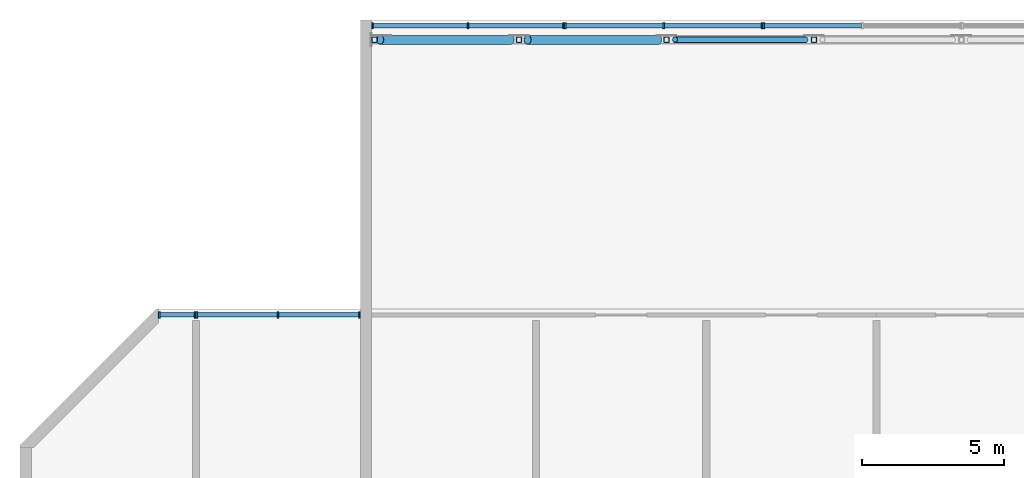
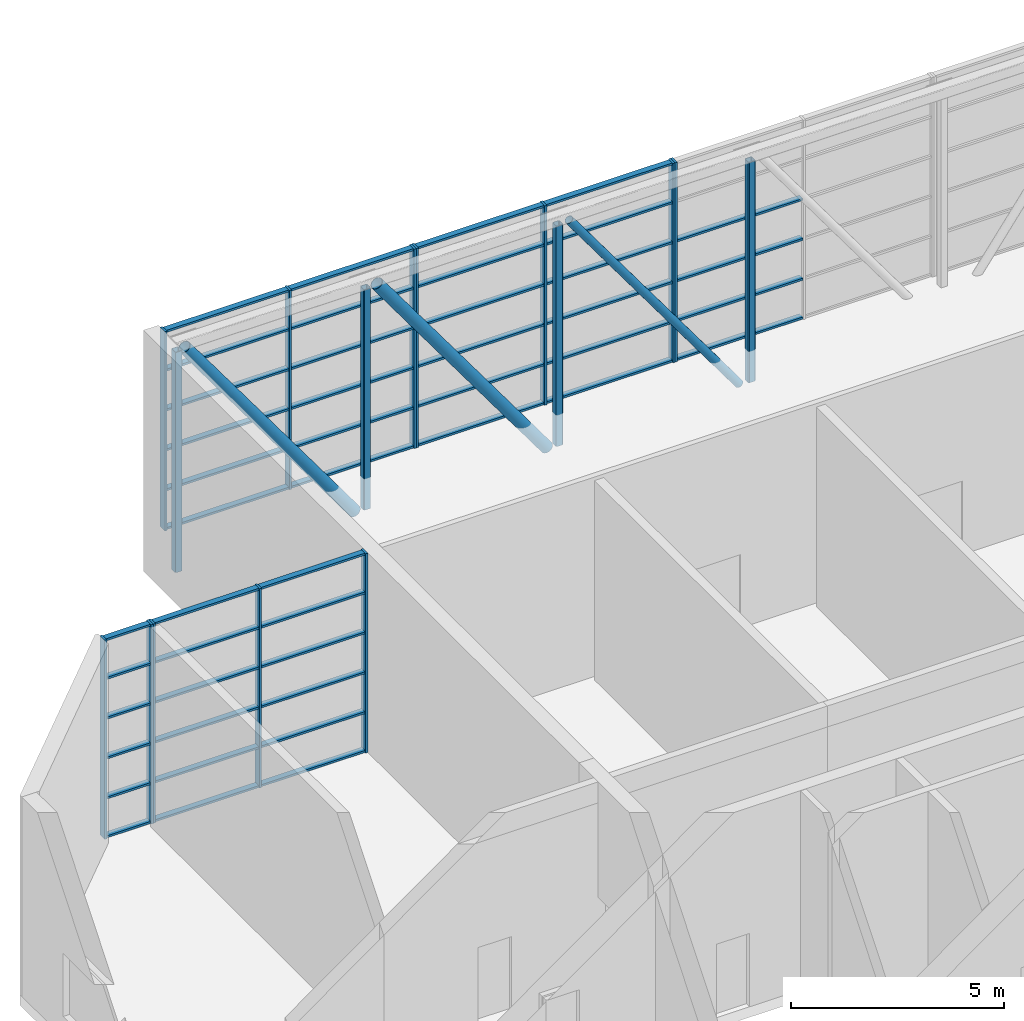
# One storey, part 2 of 17: 65 members, 5 elements without a shape of their own.
"""IFC4 building model written with IfcOpenShell, lengths in metres."""

from ifc_helpers import new_model, si_unit, direction, frame, origin, origin_2d, place, context, subcontext, project, spatial, rectangle, hollow_rectangle, hollow_circle, extrude, material, layer, layer_set, material_profile, profile_set, type_object, element, aggregate, save


model = new_model("IFC4")

# Units and contexts
model_context = context("Model", 3, precision=1e-05, world=origin(), true_north=direction((0.0, 1.0)))
body_context = subcontext(model_context, "Body", "Model", "MODEL_VIEW")
ifc_project = project(units=[si_unit("LENGTHUNIT", "METRE"), si_unit("AREAUNIT", "SQUARE_METRE"), si_unit("VOLUMEUNIT", "CUBIC_METRE"), si_unit("PLANEANGLEUNIT", "RADIAN"), si_unit("MASSUNIT", "GRAM", prefix="KILO")], contexts=[model_context])

# Site, building, storey
site_placement = place(None, origin())
site = spatial("IfcSite", under=ifc_project, at=site_placement, CompositionType="ELEMENT")
building_placement = place(site_placement, origin())
building = spatial("IfcBuilding", under=site, at=building_placement, Name="Poui Terraces", CompositionType="ELEMENT")
storey_placement = place(building_placement, frame((0.0, 0.0, 261.0)))
storey = spatial("IfcBuildingStorey", under=building, at=storey_placement, Name="L73", CompositionType="ELEMENT", Elevation=261.0)

# Curtain wall, members
ifc_material_1 = material(Name="Clear glass", Category="glass")
ifc_layer = layer(ifc_material_1, 0.219970703125)
ifc_layer_set = layer_set([ifc_layer], Name="Clear glass")
curtain_wall_type = type_object("IfcCurtainWallType", Name="CURTAIN WALL CW-E SKY LOUNGE GLAZING", PredefinedType="NOTDEFINED", material=ifc_layer_set)
curtain_wall_1_placement = place(storey_placement, origin())
curtain_wall_1 = element("IfcCurtainWall", 1, at=curtain_wall_1_placement, inside=storey, type_object=curtain_wall_type, Name="CW-E SKY LOUNGE GLAZING", PredefinedType="NOTDEFINED")
ifc_material_2 = material(Name="Aluminium frame", Category="aluminium")
ifc_material_profile_1 = material_profile(ifc_material_2, rectangle(XDim=0.219970703125, YDim=0.06005859375, at=origin_2d()), Name="CW-E MULLION 60X220")
ifc_profile_set_1 = profile_set([ifc_material_profile_1], Name="Aluminium frame")
member_type_1 = type_object("IfcMemberType", Name="CW-E MULLION 60X220", PredefinedType="MULLION", material=ifc_profile_set_1)
member_1_placement = place(storey_placement, frame((23.969970703125, 41.199951171875, 0.0), z_axis=(0.0, 0.0, 1.0), x_axis=(0.0, -1.0, 0.0)))
member_1 = element("IfcMember", 2, at=member_1_placement, type_object=member_type_1, Name="CW-E mullion 1", PredefinedType="MULLION", context=body_context, shape_type="SweptSolid", body=[
    extrude(rectangle(XDim=0.219970703125, YDim=0.06005859375, at=origin_2d()), origin(), (0.0, 0.0, 1.0), 5.699951171875),
])
member_2_placement = place(storey_placement, frame((22.712890625, 41.199951171875, 0.0), z_axis=(0.0, 0.0, 1.0), x_axis=(0.0, -1.0, 0.0)))
member_2 = element("IfcMember", 3, at=member_2_placement, type_object=member_type_1, Name="CW-E mullion 2", PredefinedType="MULLION", context=body_context, shape_type="SweptSolid", body=[
    extrude(rectangle(XDim=0.219970703125, YDim=0.06005859375, at=origin_2d()), origin(), (0.0, 0.0, 1.0), 5.699951171875),
])

curtain_wall_2_placement = place(storey_placement, origin())
curtain_wall_2 = element("IfcCurtainWall", 4, at=curtain_wall_2_placement, inside=storey, type_object=curtain_wall_type, Name="CW-E SKY LOUNGE GLAZING", PredefinedType="NOTDEFINED")
member_3_placement = place(storey_placement, frame((29.77001953125, 41.199951171875, 0.0), z_axis=(0.0, 0.0, 1.0), x_axis=(0.0, -1.0, 0.0)))
member_3 = element("IfcMember", 5, at=member_3_placement, type_object=member_type_1, Name="CW-E mullion 1", PredefinedType="MULLION", context=body_context, shape_type="SweptSolid", body=[
    extrude(rectangle(XDim=0.219970703125, YDim=0.06005859375, at=origin_2d()), origin(), (0.0, 0.0, 1.0), 5.699951171875),
])
member_4_placement = place(storey_placement, frame((26.89990234375, 41.199951171875, 0.0), z_axis=(0.0, 0.0, 1.0), x_axis=(0.0, -1.0, 0.0)))
member_4 = element("IfcMember", 6, at=member_4_placement, type_object=member_type_1, Name="CW-E mullion 2", PredefinedType="MULLION", context=body_context, shape_type="SweptSolid", body=[
    extrude(rectangle(XDim=0.219970703125, YDim=0.06005859375, at=origin_2d()), origin(), (0.0, 0.0, 1.0), 5.699951171875),
])
member_5_placement = place(storey_placement, frame((24.030029296875, 41.199951171875, 0.0), z_axis=(0.0, 0.0, 1.0), x_axis=(0.0, -1.0, 0.0)))
member_5 = element("IfcMember", 7, at=member_5_placement, type_object=member_type_1, Name="CW-E mullion 3", PredefinedType="MULLION", context=body_context, shape_type="SweptSolid", body=[
    extrude(rectangle(XDim=0.219970703125, YDim=0.06005859375, at=origin_2d()), origin(), (0.0, 0.0, 1.0), 5.699951171875),
])

curtain_wall_3_placement = place(storey_placement, origin())
curtain_wall_3 = element("IfcCurtainWall", 8, at=curtain_wall_3_placement, inside=storey, type_object=curtain_wall_type, Name="CW-E SKY LOUNGE GLAZING", PredefinedType="NOTDEFINED")
member_6_placement = place(storey_placement, frame((30.22998046875, 51.39990234375, 0.0), z_axis=(0.0, 0.0, 1.0), x_axis=(0.0, 1.0, 0.0)))
member_6 = element("IfcMember", 9, at=member_6_placement, type_object=member_type_1, Name="CW-E mullion 1", PredefinedType="MULLION", context=body_context, shape_type="SweptSolid", body=[
    extrude(rectangle(XDim=0.219970703125, YDim=0.06005859375, at=origin_2d()), origin(), (0.0, 0.0, 1.0), 5.699951171875),
])
member_7_placement = place(storey_placement, frame((33.60009765625, 51.39990234375, 0.0), z_axis=(0.0, 0.0, 1.0), x_axis=(0.0, 1.0, 0.0)))
member_7 = element("IfcMember", 10, at=member_7_placement, type_object=member_type_1, Name="CW-E mullion 2", PredefinedType="MULLION", context=body_context, shape_type="SweptSolid", body=[
    extrude(rectangle(XDim=0.219970703125, YDim=0.06005859375, at=origin_2d()), origin(), (0.0, 0.0, 1.0), 5.699951171875),
])
member_8_placement = place(storey_placement, frame((36.969970703125, 51.39990234375, 0.0), z_axis=(0.0, 0.0, 1.0), x_axis=(0.0, 1.0, 0.0)))
member_8 = element("IfcMember", 11, at=member_8_placement, type_object=member_type_1, Name="CW-E mullion 3", PredefinedType="MULLION", context=body_context, shape_type="SweptSolid", body=[
    extrude(rectangle(XDim=0.219970703125, YDim=0.06005859375, at=origin_2d()), origin(), (0.0, 0.0, 1.0), 5.699951171875),
])

curtain_wall_4_placement = place(storey_placement, origin())
curtain_wall_4 = element("IfcCurtainWall", 12, at=curtain_wall_4_placement, inside=storey, type_object=curtain_wall_type, Name="CW-E SKY LOUNGE GLAZING", PredefinedType="NOTDEFINED")
member_9_placement = place(storey_placement, frame((37.030029296875, 51.39990234375, 0.0), z_axis=(0.0, 0.0, 1.0), x_axis=(0.0, 1.0, 0.0)))
member_9 = element("IfcMember", 13, at=member_9_placement, type_object=member_type_1, Name="CW-E mullion 1", PredefinedType="MULLION", context=body_context, shape_type="SweptSolid", body=[
    extrude(rectangle(XDim=0.219970703125, YDim=0.06005859375, at=origin_2d()), origin(), (0.0, 0.0, 1.0), 5.699951171875),
])
member_10_placement = place(storey_placement, frame((40.5, 51.39990234375, 0.0), z_axis=(0.0, 0.0, 1.0), x_axis=(0.0, 1.0, 0.0)))
member_10 = element("IfcMember", 14, at=member_10_placement, type_object=member_type_1, Name="CW-E mullion 2", PredefinedType="MULLION", context=body_context, shape_type="SweptSolid", body=[
    extrude(rectangle(XDim=0.219970703125, YDim=0.06005859375, at=origin_2d()), origin(), (0.0, 0.0, 1.0), 5.699951171875),
])
member_11_placement = place(storey_placement, frame((43.969970703125, 51.39990234375, 0.0), z_axis=(0.0, 0.0, 1.0), x_axis=(0.0, 1.0, 0.0)))
member_11 = element("IfcMember", 15, at=member_11_placement, type_object=member_type_1, Name="CW-E mullion 3", PredefinedType="MULLION", context=body_context, shape_type="SweptSolid", body=[
    extrude(rectangle(XDim=0.219970703125, YDim=0.06005859375, at=origin_2d()), origin(), (0.0, 0.0, 1.0), 5.699951171875),
])

# Curtain wall, member
curtain_wall_5_placement = place(storey_placement, origin())
curtain_wall_5 = element("IfcCurtainWall", 16, at=curtain_wall_5_placement, inside=storey, type_object=curtain_wall_type, Name="CW-E SKY LOUNGE GLAZING", PredefinedType="NOTDEFINED")
member_12_placement = place(storey_placement, frame((44.030029296875, 51.39990234375, 0.0), z_axis=(0.0, 0.0, 1.0), x_axis=(0.0, 1.0, 0.0)))
member_12 = element("IfcMember", 17, at=member_12_placement, type_object=member_type_1, Name="CW-E mullion 1", PredefinedType="MULLION", context=body_context, shape_type="SweptSolid", body=[
    extrude(rectangle(XDim=0.219970703125, YDim=0.06005859375, at=origin_2d()), origin(), (0.0, 0.0, 1.0), 5.699951171875),
])

# Member
ifc_material_profile_2 = material_profile(ifc_material_2, rectangle(XDim=0.159912109375, YDim=0.06005859375, at=origin_2d()), Name="CW-E TRANSOM 60X160")
ifc_profile_set_2 = profile_set([ifc_material_profile_2], Name="Aluminium frame")
member_type_2 = type_object("IfcMemberType", Name="CW-E TRANSOM 60X160", PredefinedType="USERDEFINED", material=ifc_profile_set_2)
member_13_placement = place(storey_placement, frame((23.93994140625, 41.199951171875, 0.030029296875), z_axis=(-1.0, 0.0, 0.0), x_axis=(0.0, -1.0, 0.0)))
member_13 = element("IfcMember", 18, at=member_13_placement, type_object=member_type_2, Name="CW-E transom 1.1", ObjectType="TRANSOM", PredefinedType="USERDEFINED", context=body_context, shape_type="SweptSolid", body=[
    extrude(rectangle(XDim=0.159912109375, YDim=0.06005859375, at=origin_2d()), origin(), (0.0, 0.0, 1.0), 1.197021484375),
])

member_14_placement = place(storey_placement, frame((23.93994140625, 41.199951171875, 1.139892578125), z_axis=(-1.0, 0.0, 0.0), x_axis=(0.0, -1.0, 0.0)))
member_14 = element("IfcMember", 19, at=member_14_placement, type_object=member_type_2, Name="CW-E transom 1.2", ObjectType="TRANSOM", PredefinedType="USERDEFINED", context=body_context, shape_type="SweptSolid", body=[
    extrude(rectangle(XDim=0.159912109375, YDim=0.06005859375, at=origin_2d()), origin(), (0.0, 0.0, 1.0), 1.197021484375),
])

member_15_placement = place(storey_placement, frame((23.93994140625, 41.199951171875, 2.280029296875), z_axis=(-1.0, 0.0, 0.0), x_axis=(0.0, -1.0, 0.0)))
member_15 = element("IfcMember", 20, at=member_15_placement, type_object=member_type_2, Name="CW-E transom 1.3", ObjectType="TRANSOM", PredefinedType="USERDEFINED", context=body_context, shape_type="SweptSolid", body=[
    extrude(rectangle(XDim=0.159912109375, YDim=0.06005859375, at=origin_2d()), origin(), (0.0, 0.0, 1.0), 1.197021484375),
])

member_16_placement = place(storey_placement, frame((23.93994140625, 41.199951171875, 3.419921875), z_axis=(-1.0, 0.0, 0.0), x_axis=(0.0, -1.0, 0.0)))
member_16 = element("IfcMember", 21, at=member_16_placement, type_object=member_type_2, Name="CW-E transom 1.4", ObjectType="TRANSOM", PredefinedType="USERDEFINED", context=body_context, shape_type="SweptSolid", body=[
    extrude(rectangle(XDim=0.159912109375, YDim=0.06005859375, at=origin_2d()), origin(), (0.0, 0.0, 1.0), 1.197021484375),
])

member_17_placement = place(storey_placement, frame((23.93994140625, 41.199951171875, 4.56005859375), z_axis=(-1.0, 0.0, 0.0), x_axis=(0.0, -1.0, 0.0)))
member_17 = element("IfcMember", 22, at=member_17_placement, type_object=member_type_2, Name="CW-E transom 1.5", ObjectType="TRANSOM", PredefinedType="USERDEFINED", context=body_context, shape_type="SweptSolid", body=[
    extrude(rectangle(XDim=0.159912109375, YDim=0.06005859375, at=origin_2d()), origin(), (0.0, 0.0, 1.0), 1.197021484375),
])

member_18_placement = place(storey_placement, frame((23.93994140625, 41.199951171875, 5.669921875), z_axis=(-1.0, 0.0, 0.0), x_axis=(0.0, -1.0, 0.0)))
member_18 = element("IfcMember", 23, at=member_18_placement, type_object=member_type_2, Name="CW-E transom 1.6", ObjectType="TRANSOM", PredefinedType="USERDEFINED", context=body_context, shape_type="SweptSolid", body=[
    extrude(rectangle(XDim=0.159912109375, YDim=0.06005859375, at=origin_2d()), origin(), (0.0, 0.0, 1.0), 1.197021484375),
])

aggregate(curtain_wall_1, [member_1, member_2, member_13, member_14, member_15, member_16, member_17, member_18])

member_19_placement = place(storey_placement, frame((29.739990234375, 41.199951171875, 0.030029296875), z_axis=(-1.0, 0.0, 0.0), x_axis=(0.0, -1.0, 0.0)))
member_19 = element("IfcMember", 24, at=member_19_placement, type_object=member_type_2, Name="CW-E transom 1.1", ObjectType="TRANSOM", PredefinedType="USERDEFINED", context=body_context, shape_type="SweptSolid", body=[
    extrude(rectangle(XDim=0.159912109375, YDim=0.06005859375, at=origin_2d()), origin(), (0.0, 0.0, 1.0), 2.81005859375),
])

member_20_placement = place(storey_placement, frame((29.739990234375, 41.199951171875, 1.139892578125), z_axis=(-1.0, 0.0, 0.0), x_axis=(0.0, -1.0, 0.0)))
member_20 = element("IfcMember", 25, at=member_20_placement, type_object=member_type_2, Name="CW-E transom 1.2", ObjectType="TRANSOM", PredefinedType="USERDEFINED", context=body_context, shape_type="SweptSolid", body=[
    extrude(rectangle(XDim=0.159912109375, YDim=0.06005859375, at=origin_2d()), origin(), (0.0, 0.0, 1.0), 2.81005859375),
])

member_21_placement = place(storey_placement, frame((29.739990234375, 41.199951171875, 2.280029296875), z_axis=(-1.0, 0.0, 0.0), x_axis=(0.0, -1.0, 0.0)))
member_21 = element("IfcMember", 26, at=member_21_placement, type_object=member_type_2, Name="CW-E transom 1.3", ObjectType="TRANSOM", PredefinedType="USERDEFINED", context=body_context, shape_type="SweptSolid", body=[
    extrude(rectangle(XDim=0.159912109375, YDim=0.06005859375, at=origin_2d()), origin(), (0.0, 0.0, 1.0), 2.81005859375),
])

member_22_placement = place(storey_placement, frame((29.739990234375, 41.199951171875, 3.419921875), z_axis=(-1.0, 0.0, 0.0), x_axis=(0.0, -1.0, 0.0)))
member_22 = element("IfcMember", 27, at=member_22_placement, type_object=member_type_2, Name="CW-E transom 1.4", ObjectType="TRANSOM", PredefinedType="USERDEFINED", context=body_context, shape_type="SweptSolid", body=[
    extrude(rectangle(XDim=0.159912109375, YDim=0.06005859375, at=origin_2d()), origin(), (0.0, 0.0, 1.0), 2.81005859375),
])

member_23_placement = place(storey_placement, frame((29.739990234375, 41.199951171875, 4.56005859375), z_axis=(-1.0, 0.0, 0.0), x_axis=(0.0, -1.0, 0.0)))
member_23 = element("IfcMember", 28, at=member_23_placement, type_object=member_type_2, Name="CW-E transom 1.5", ObjectType="TRANSOM", PredefinedType="USERDEFINED", context=body_context, shape_type="SweptSolid", body=[
    extrude(rectangle(XDim=0.159912109375, YDim=0.06005859375, at=origin_2d()), origin(), (0.0, 0.0, 1.0), 2.81005859375),
])

member_24_placement = place(storey_placement, frame((29.739990234375, 41.199951171875, 5.669921875), z_axis=(-1.0, 0.0, 0.0), x_axis=(0.0, -1.0, 0.0)))
member_24 = element("IfcMember", 29, at=member_24_placement, type_object=member_type_2, Name="CW-E transom 1.6", ObjectType="TRANSOM", PredefinedType="USERDEFINED", context=body_context, shape_type="SweptSolid", body=[
    extrude(rectangle(XDim=0.159912109375, YDim=0.06005859375, at=origin_2d()), origin(), (0.0, 0.0, 1.0), 2.81005859375),
])

member_25_placement = place(storey_placement, frame((26.8701171875, 41.199951171875, 0.030029296875), z_axis=(-1.0, 0.0, 0.0), x_axis=(0.0, -1.0, 0.0)))
member_25 = element("IfcMember", 30, at=member_25_placement, type_object=member_type_2, Name="CW-E transom 2.1", ObjectType="TRANSOM", PredefinedType="USERDEFINED", context=body_context, shape_type="SweptSolid", body=[
    extrude(rectangle(XDim=0.159912109375, YDim=0.06005859375, at=origin_2d()), origin(), (0.0, 0.0, 1.0), 2.81005859375),
])

member_26_placement = place(storey_placement, frame((26.8701171875, 41.199951171875, 1.139892578125), z_axis=(-1.0, 0.0, 0.0), x_axis=(0.0, -1.0, 0.0)))
member_26 = element("IfcMember", 31, at=member_26_placement, type_object=member_type_2, Name="CW-E transom 2.2", ObjectType="TRANSOM", PredefinedType="USERDEFINED", context=body_context, shape_type="SweptSolid", body=[
    extrude(rectangle(XDim=0.159912109375, YDim=0.06005859375, at=origin_2d()), origin(), (0.0, 0.0, 1.0), 2.81005859375),
])

member_27_placement = place(storey_placement, frame((26.8701171875, 41.199951171875, 2.280029296875), z_axis=(-1.0, 0.0, 0.0), x_axis=(0.0, -1.0, 0.0)))
member_27 = element("IfcMember", 32, at=member_27_placement, type_object=member_type_2, Name="CW-E transom 2.3", ObjectType="TRANSOM", PredefinedType="USERDEFINED", context=body_context, shape_type="SweptSolid", body=[
    extrude(rectangle(XDim=0.159912109375, YDim=0.06005859375, at=origin_2d()), origin(), (0.0, 0.0, 1.0), 2.81005859375),
])

member_28_placement = place(storey_placement, frame((26.8701171875, 41.199951171875, 3.419921875), z_axis=(-1.0, 0.0, 0.0), x_axis=(0.0, -1.0, 0.0)))
member_28 = element("IfcMember", 33, at=member_28_placement, type_object=member_type_2, Name="CW-E transom 2.4", ObjectType="TRANSOM", PredefinedType="USERDEFINED", context=body_context, shape_type="SweptSolid", body=[
    extrude(rectangle(XDim=0.159912109375, YDim=0.06005859375, at=origin_2d()), origin(), (0.0, 0.0, 1.0), 2.81005859375),
])

member_29_placement = place(storey_placement, frame((26.8701171875, 41.199951171875, 4.56005859375), z_axis=(-1.0, 0.0, 0.0), x_axis=(0.0, -1.0, 0.0)))
member_29 = element("IfcMember", 34, at=member_29_placement, type_object=member_type_2, Name="CW-E transom 2.5", ObjectType="TRANSOM", PredefinedType="USERDEFINED", context=body_context, shape_type="SweptSolid", body=[
    extrude(rectangle(XDim=0.159912109375, YDim=0.06005859375, at=origin_2d()), origin(), (0.0, 0.0, 1.0), 2.81005859375),
])

member_30_placement = place(storey_placement, frame((26.8701171875, 41.199951171875, 5.669921875), z_axis=(-1.0, 0.0, 0.0), x_axis=(0.0, -1.0, 0.0)))
member_30 = element("IfcMember", 35, at=member_30_placement, type_object=member_type_2, Name="CW-E transom 2.6", ObjectType="TRANSOM", PredefinedType="USERDEFINED", context=body_context, shape_type="SweptSolid", body=[
    extrude(rectangle(XDim=0.159912109375, YDim=0.06005859375, at=origin_2d()), origin(), (0.0, 0.0, 1.0), 2.81005859375),
])

aggregate(curtain_wall_2, [member_3, member_4, member_5, member_19, member_20, member_21, member_22, member_23, member_24, member_25, member_26, member_27, member_28, member_29, member_30])

member_31_placement = place(storey_placement, frame((30.260009765625, 51.39990234375, 0.030029296875), z_axis=(1.0, 0.0, 0.0), x_axis=(0.0, 1.0, 0.0)))
member_31 = element("IfcMember", 36, at=member_31_placement, type_object=member_type_2, Name="CW-E transom 1.1", ObjectType="TRANSOM", PredefinedType="USERDEFINED", context=body_context, shape_type="SweptSolid", body=[
    extrude(rectangle(XDim=0.159912109375, YDim=0.06005859375, at=origin_2d()), origin(), (0.0, 0.0, 1.0), 3.31005859375),
])

member_32_placement = place(storey_placement, frame((30.260009765625, 51.39990234375, 1.139892578125), z_axis=(1.0, 0.0, 0.0), x_axis=(0.0, 1.0, 0.0)))
member_32 = element("IfcMember", 37, at=member_32_placement, type_object=member_type_2, Name="CW-E transom 1.2", ObjectType="TRANSOM", PredefinedType="USERDEFINED", context=body_context, shape_type="SweptSolid", body=[
    extrude(rectangle(XDim=0.159912109375, YDim=0.06005859375, at=origin_2d()), origin(), (0.0, 0.0, 1.0), 3.31005859375),
])

member_33_placement = place(storey_placement, frame((30.260009765625, 51.39990234375, 2.280029296875), z_axis=(1.0, 0.0, 0.0), x_axis=(0.0, 1.0, 0.0)))
member_33 = element("IfcMember", 38, at=member_33_placement, type_object=member_type_2, Name="CW-E transom 1.3", ObjectType="TRANSOM", PredefinedType="USERDEFINED", context=body_context, shape_type="SweptSolid", body=[
    extrude(rectangle(XDim=0.159912109375, YDim=0.06005859375, at=origin_2d()), origin(), (0.0, 0.0, 1.0), 3.31005859375),
])

member_34_placement = place(storey_placement, frame((30.260009765625, 51.39990234375, 3.419921875), z_axis=(1.0, 0.0, 0.0), x_axis=(0.0, 1.0, 0.0)))
member_34 = element("IfcMember", 39, at=member_34_placement, type_object=member_type_2, Name="CW-E transom 1.4", ObjectType="TRANSOM", PredefinedType="USERDEFINED", context=body_context, shape_type="SweptSolid", body=[
    extrude(rectangle(XDim=0.159912109375, YDim=0.06005859375, at=origin_2d()), origin(), (0.0, 0.0, 1.0), 3.31005859375),
])

member_35_placement = place(storey_placement, frame((30.260009765625, 51.39990234375, 4.56005859375), z_axis=(1.0, 0.0, 0.0), x_axis=(0.0, 1.0, 0.0)))
member_35 = element("IfcMember", 40, at=member_35_placement, type_object=member_type_2, Name="CW-E transom 1.5", ObjectType="TRANSOM", PredefinedType="USERDEFINED", context=body_context, shape_type="SweptSolid", body=[
    extrude(rectangle(XDim=0.159912109375, YDim=0.06005859375, at=origin_2d()), origin(), (0.0, 0.0, 1.0), 3.31005859375),
])

member_36_placement = place(storey_placement, frame((30.260009765625, 51.39990234375, 5.669921875), z_axis=(1.0, 0.0, 0.0), x_axis=(0.0, 1.0, 0.0)))
member_36 = element("IfcMember", 41, at=member_36_placement, type_object=member_type_2, Name="CW-E transom 1.6", ObjectType="TRANSOM", PredefinedType="USERDEFINED", context=body_context, shape_type="SweptSolid", body=[
    extrude(rectangle(XDim=0.159912109375, YDim=0.06005859375, at=origin_2d()), origin(), (0.0, 0.0, 1.0), 3.31005859375),
])

member_37_placement = place(storey_placement, frame((33.6298828125, 51.39990234375, 0.030029296875), z_axis=(1.0, 0.0, 0.0), x_axis=(0.0, 1.0, 0.0)))
member_37 = element("IfcMember", 42, at=member_37_placement, type_object=member_type_2, Name="CW-E transom 2.1", ObjectType="TRANSOM", PredefinedType="USERDEFINED", context=body_context, shape_type="SweptSolid", body=[
    extrude(rectangle(XDim=0.159912109375, YDim=0.06005859375, at=origin_2d()), origin(), (0.0, 0.0, 1.0), 3.31005859375),
])

member_38_placement = place(storey_placement, frame((33.6298828125, 51.39990234375, 1.139892578125), z_axis=(1.0, 0.0, 0.0), x_axis=(0.0, 1.0, 0.0)))
member_38 = element("IfcMember", 43, at=member_38_placement, type_object=member_type_2, Name="CW-E transom 2.2", ObjectType="TRANSOM", PredefinedType="USERDEFINED", context=body_context, shape_type="SweptSolid", body=[
    extrude(rectangle(XDim=0.159912109375, YDim=0.06005859375, at=origin_2d()), origin(), (0.0, 0.0, 1.0), 3.31005859375),
])

member_39_placement = place(storey_placement, frame((33.6298828125, 51.39990234375, 2.280029296875), z_axis=(1.0, 0.0, 0.0), x_axis=(0.0, 1.0, 0.0)))
member_39 = element("IfcMember", 44, at=member_39_placement, type_object=member_type_2, Name="CW-E transom 2.3", ObjectType="TRANSOM", PredefinedType="USERDEFINED", context=body_context, shape_type="SweptSolid", body=[
    extrude(rectangle(XDim=0.159912109375, YDim=0.06005859375, at=origin_2d()), origin(), (0.0, 0.0, 1.0), 3.31005859375),
])

member_40_placement = place(storey_placement, frame((33.6298828125, 51.39990234375, 3.419921875), z_axis=(1.0, 0.0, 0.0), x_axis=(0.0, 1.0, 0.0)))
member_40 = element("IfcMember", 45, at=member_40_placement, type_object=member_type_2, Name="CW-E transom 2.4", ObjectType="TRANSOM", PredefinedType="USERDEFINED", context=body_context, shape_type="SweptSolid", body=[
    extrude(rectangle(XDim=0.159912109375, YDim=0.06005859375, at=origin_2d()), origin(), (0.0, 0.0, 1.0), 3.31005859375),
])

member_41_placement = place(storey_placement, frame((33.6298828125, 51.39990234375, 4.56005859375), z_axis=(1.0, 0.0, 0.0), x_axis=(0.0, 1.0, 0.0)))
member_41 = element("IfcMember", 46, at=member_41_placement, type_object=member_type_2, Name="CW-E transom 2.5", ObjectType="TRANSOM", PredefinedType="USERDEFINED", context=body_context, shape_type="SweptSolid", body=[
    extrude(rectangle(XDim=0.159912109375, YDim=0.06005859375, at=origin_2d()), origin(), (0.0, 0.0, 1.0), 3.31005859375),
])

member_42_placement = place(storey_placement, frame((33.6298828125, 51.39990234375, 5.669921875), z_axis=(1.0, 0.0, 0.0), x_axis=(0.0, 1.0, 0.0)))
member_42 = element("IfcMember", 47, at=member_42_placement, type_object=member_type_2, Name="CW-E transom 2.6", ObjectType="TRANSOM", PredefinedType="USERDEFINED", context=body_context, shape_type="SweptSolid", body=[
    extrude(rectangle(XDim=0.159912109375, YDim=0.06005859375, at=origin_2d()), origin(), (0.0, 0.0, 1.0), 3.31005859375),
])

aggregate(curtain_wall_3, [member_6, member_7, member_8, member_31, member_32, member_33, member_34, member_35, member_36, member_37, member_38, member_39, member_40, member_41, member_42])

member_43_placement = place(storey_placement, frame((37.06005859375, 51.39990234375, 0.030029296875), z_axis=(1.0, 0.0, 0.0), x_axis=(0.0, 1.0, 0.0)))
member_43 = element("IfcMember", 48, at=member_43_placement, type_object=member_type_2, Name="CW-E transom 1.1", ObjectType="TRANSOM", PredefinedType="USERDEFINED", context=body_context, shape_type="SweptSolid", body=[
    extrude(rectangle(XDim=0.159912109375, YDim=0.06005859375, at=origin_2d()), origin(), (0.0, 0.0, 1.0), 3.409912109375),
])

member_44_placement = place(storey_placement, frame((37.06005859375, 51.39990234375, 1.139892578125), z_axis=(1.0, 0.0, 0.0), x_axis=(0.0, 1.0, 0.0)))
member_44 = element("IfcMember", 49, at=member_44_placement, type_object=member_type_2, Name="CW-E transom 1.2", ObjectType="TRANSOM", PredefinedType="USERDEFINED", context=body_context, shape_type="SweptSolid", body=[
    extrude(rectangle(XDim=0.159912109375, YDim=0.06005859375, at=origin_2d()), origin(), (0.0, 0.0, 1.0), 3.409912109375),
])

member_45_placement = place(storey_placement, frame((37.06005859375, 51.39990234375, 2.280029296875), z_axis=(1.0, 0.0, 0.0), x_axis=(0.0, 1.0, 0.0)))
member_45 = element("IfcMember", 50, at=member_45_placement, type_object=member_type_2, Name="CW-E transom 1.3", ObjectType="TRANSOM", PredefinedType="USERDEFINED", context=body_context, shape_type="SweptSolid", body=[
    extrude(rectangle(XDim=0.159912109375, YDim=0.06005859375, at=origin_2d()), origin(), (0.0, 0.0, 1.0), 3.409912109375),
])

member_46_placement = place(storey_placement, frame((37.06005859375, 51.39990234375, 3.419921875), z_axis=(1.0, 0.0, 0.0), x_axis=(0.0, 1.0, 0.0)))
member_46 = element("IfcMember", 51, at=member_46_placement, type_object=member_type_2, Name="CW-E transom 1.4", ObjectType="TRANSOM", PredefinedType="USERDEFINED", context=body_context, shape_type="SweptSolid", body=[
    extrude(rectangle(XDim=0.159912109375, YDim=0.06005859375, at=origin_2d()), origin(), (0.0, 0.0, 1.0), 3.409912109375),
])

member_47_placement = place(storey_placement, frame((37.06005859375, 51.39990234375, 4.56005859375), z_axis=(1.0, 0.0, 0.0), x_axis=(0.0, 1.0, 0.0)))
member_47 = element("IfcMember", 52, at=member_47_placement, type_object=member_type_2, Name="CW-E transom 1.5", ObjectType="TRANSOM", PredefinedType="USERDEFINED", context=body_context, shape_type="SweptSolid", body=[
    extrude(rectangle(XDim=0.159912109375, YDim=0.06005859375, at=origin_2d()), origin(), (0.0, 0.0, 1.0), 3.409912109375),
])

member_48_placement = place(storey_placement, frame((37.06005859375, 51.39990234375, 5.669921875), z_axis=(1.0, 0.0, 0.0), x_axis=(0.0, 1.0, 0.0)))
member_48 = element("IfcMember", 53, at=member_48_placement, type_object=member_type_2, Name="CW-E transom 1.6", ObjectType="TRANSOM", PredefinedType="USERDEFINED", context=body_context, shape_type="SweptSolid", body=[
    extrude(rectangle(XDim=0.159912109375, YDim=0.06005859375, at=origin_2d()), origin(), (0.0, 0.0, 1.0), 3.409912109375),
])

member_49_placement = place(storey_placement, frame((40.530029296875, 51.39990234375, 0.030029296875), z_axis=(1.0, 0.0, 0.0), x_axis=(0.0, 1.0, 0.0)))
member_49 = element("IfcMember", 54, at=member_49_placement, type_object=member_type_2, Name="CW-E transom 2.1", ObjectType="TRANSOM", PredefinedType="USERDEFINED", context=body_context, shape_type="SweptSolid", body=[
    extrude(rectangle(XDim=0.159912109375, YDim=0.06005859375, at=origin_2d()), origin(), (0.0, 0.0, 1.0), 3.409912109375),
])

member_50_placement = place(storey_placement, frame((40.530029296875, 51.39990234375, 1.139892578125), z_axis=(1.0, 0.0, 0.0), x_axis=(0.0, 1.0, 0.0)))
member_50 = element("IfcMember", 55, at=member_50_placement, type_object=member_type_2, Name="CW-E transom 2.2", ObjectType="TRANSOM", PredefinedType="USERDEFINED", context=body_context, shape_type="SweptSolid", body=[
    extrude(rectangle(XDim=0.159912109375, YDim=0.06005859375, at=origin_2d()), origin(), (0.0, 0.0, 1.0), 3.409912109375),
])

member_51_placement = place(storey_placement, frame((40.530029296875, 51.39990234375, 2.280029296875), z_axis=(1.0, 0.0, 0.0), x_axis=(0.0, 1.0, 0.0)))
member_51 = element("IfcMember", 56, at=member_51_placement, type_object=member_type_2, Name="CW-E transom 2.3", ObjectType="TRANSOM", PredefinedType="USERDEFINED", context=body_context, shape_type="SweptSolid", body=[
    extrude(rectangle(XDim=0.159912109375, YDim=0.06005859375, at=origin_2d()), origin(), (0.0, 0.0, 1.0), 3.409912109375),
])

member_52_placement = place(storey_placement, frame((40.530029296875, 51.39990234375, 3.419921875), z_axis=(1.0, 0.0, 0.0), x_axis=(0.0, 1.0, 0.0)))
member_52 = element("IfcMember", 57, at=member_52_placement, type_object=member_type_2, Name="CW-E transom 2.4", ObjectType="TRANSOM", PredefinedType="USERDEFINED", context=body_context, shape_type="SweptSolid", body=[
    extrude(rectangle(XDim=0.159912109375, YDim=0.06005859375, at=origin_2d()), origin(), (0.0, 0.0, 1.0), 3.409912109375),
])

member_53_placement = place(storey_placement, frame((40.530029296875, 51.39990234375, 4.56005859375), z_axis=(1.0, 0.0, 0.0), x_axis=(0.0, 1.0, 0.0)))
member_53 = element("IfcMember", 58, at=member_53_placement, type_object=member_type_2, Name="CW-E transom 2.5", ObjectType="TRANSOM", PredefinedType="USERDEFINED", context=body_context, shape_type="SweptSolid", body=[
    extrude(rectangle(XDim=0.159912109375, YDim=0.06005859375, at=origin_2d()), origin(), (0.0, 0.0, 1.0), 3.409912109375),
])

member_54_placement = place(storey_placement, frame((40.530029296875, 51.39990234375, 5.669921875), z_axis=(1.0, 0.0, 0.0), x_axis=(0.0, 1.0, 0.0)))
member_54 = element("IfcMember", 59, at=member_54_placement, type_object=member_type_2, Name="CW-E transom 2.6", ObjectType="TRANSOM", PredefinedType="USERDEFINED", context=body_context, shape_type="SweptSolid", body=[
    extrude(rectangle(XDim=0.159912109375, YDim=0.06005859375, at=origin_2d()), origin(), (0.0, 0.0, 1.0), 3.409912109375),
])

aggregate(curtain_wall_4, [member_9, member_10, member_11, member_43, member_44, member_45, member_46, member_47, member_48, member_49, member_50, member_51, member_52, member_53, member_54])

member_55_placement = place(storey_placement, frame((44.06005859375, 51.39990234375, 0.030029296875), z_axis=(1.0, 0.0, 0.0), x_axis=(0.0, 1.0, 0.0)))
member_55 = element("IfcMember", 60, at=member_55_placement, type_object=member_type_2, Name="CW-E transom 1.1", ObjectType="TRANSOM", PredefinedType="USERDEFINED", context=body_context, shape_type="SweptSolid", body=[
    extrude(rectangle(XDim=0.159912109375, YDim=0.06005859375, at=origin_2d()), origin(), (0.0, 0.0, 1.0), 3.409912109375),
])

member_56_placement = place(storey_placement, frame((44.06005859375, 51.39990234375, 1.139892578125), z_axis=(1.0, 0.0, 0.0), x_axis=(0.0, 1.0, 0.0)))
member_56 = element("IfcMember", 61, at=member_56_placement, type_object=member_type_2, Name="CW-E transom 1.2", ObjectType="TRANSOM", PredefinedType="USERDEFINED", context=body_context, shape_type="SweptSolid", body=[
    extrude(rectangle(XDim=0.159912109375, YDim=0.06005859375, at=origin_2d()), origin(), (0.0, 0.0, 1.0), 3.409912109375),
])

member_57_placement = place(storey_placement, frame((44.06005859375, 51.39990234375, 2.280029296875), z_axis=(1.0, 0.0, 0.0), x_axis=(0.0, 1.0, 0.0)))
member_57 = element("IfcMember", 62, at=member_57_placement, type_object=member_type_2, Name="CW-E transom 1.3", ObjectType="TRANSOM", PredefinedType="USERDEFINED", context=body_context, shape_type="SweptSolid", body=[
    extrude(rectangle(XDim=0.159912109375, YDim=0.06005859375, at=origin_2d()), origin(), (0.0, 0.0, 1.0), 3.409912109375),
])

member_58_placement = place(storey_placement, frame((44.06005859375, 51.39990234375, 3.419921875), z_axis=(1.0, 0.0, 0.0), x_axis=(0.0, 1.0, 0.0)))
member_58 = element("IfcMember", 63, at=member_58_placement, type_object=member_type_2, Name="CW-E transom 1.4", ObjectType="TRANSOM", PredefinedType="USERDEFINED", context=body_context, shape_type="SweptSolid", body=[
    extrude(rectangle(XDim=0.159912109375, YDim=0.06005859375, at=origin_2d()), origin(), (0.0, 0.0, 1.0), 3.409912109375),
])

aggregate(curtain_wall_5, [member_12, member_55, member_56, member_57, member_58])

# Members
ifc_material_3 = material(Name="Steel Grade 350 MPa", Category="steel")
ifc_material_profile_3 = material_profile(ifc_material_3, hollow_circle(Radius=0.109619140625, WallThickness=0.00830078125, at=origin_2d()), Name="219.1x8.2 CHS")
ifc_profile_set_3 = profile_set([ifc_material_profile_3], Name="Steel Grade 350 MPa")
member_type_3 = type_object("IfcMemberType", Name="TIP TRUSS DIAGONAL 219.1x8.2 CHS", PredefinedType="BRACE", material=ifc_profile_set_3)
member_59_placement = place(storey_placement, frame((40.89990234375, 50.89990234375, 5.39990234375), z_axis=(0.589715219097, 0.0, -0.807611268102), x_axis=(0.0, 1.0, 0.0)))
element("IfcMember", 64, at=member_59_placement, inside=storey, type_object=member_type_3, Name="TIP TRUSS DIAGONAL 3", PredefinedType="BRACE", context=body_context, shape_type="SweptSolid", body=[
    extrude(hollow_circle(Radius=0.109619140625, WallThickness=0.00830078125, at=origin_2d()), origin(), (0.0, 0.0, 1.0), 7.800537109375),
])
ifc_material_profile_4 = material_profile(ifc_material_3, hollow_circle(Radius=0.161865234375, WallThickness=0.0126953125, at=origin_2d()), Name="323.9x12.7 CHS")
ifc_profile_set_4 = profile_set([ifc_material_profile_4], Name="Steel Grade 350 MPa")
member_type_4 = type_object("IfcMemberType", Name="TIP TRUSS END DIAGONAL 323.9x12.7 CHS", PredefinedType="BRACE", material=ifc_profile_set_4)
for number, where, z_axis, x_axis, name in (
    (65, (30.5, 50.89990234375, 5.39990234375), (0.589715219097, 0.0, -0.807611268102), (0.0, 1.0, 0.0), "TIP TRUSS DIAGONAL 1"),
    (66, (35.699951171875, 50.89990234375, 5.39990234375), (0.589715219097, 0.0, -0.807611268102), (0.0, 1.0, 0.0), "TIP TRUSS DIAGONAL 2"),
):
    element("IfcMember", number, at=place(storey_placement, frame(where, z_axis=z_axis, x_axis=x_axis)), inside=storey, type_object=member_type_4, Name=name, PredefinedType="BRACE", context=body_context, shape_type="SweptSolid", body=[
        extrude(hollow_circle(Radius=0.161865234375, WallThickness=0.0126953125, at=origin_2d()), origin(), (0.0, 0.0, 1.0), 7.800537109375),
    ])
ifc_material_profile_5 = material_profile(ifc_material_3, hollow_rectangle(XDim=0.199951171875, YDim=0.199951171875, WallThickness=0.01611328125, InnerFilletRadius=0.02392578125, OuterFilletRadius=0.0400390625, at=origin_2d()), Name="200x200x16.0 SHS")
ifc_profile_set_5 = profile_set([ifc_material_profile_5], Name="Steel Grade 350 MPa")
member_type_5 = type_object("IfcMemberType", Name="TIP TRUSS POST 200x200x16.0 SHS", PredefinedType="BRACE", material=ifc_profile_set_5)
for number, where, z_axis, x_axis, name in (
    (67, (30.300048828125, 50.89990234375, -0.89990234375), (0.0, 0.0, 1.0), (1.0, 0.0, 0.0), "TIP TRUSS POST 1"),
    (68, (35.39990234375, 50.89990234375, -0.89990234375), (0.0, 0.0, 1.0), (1.0, 0.0, 0.0), "TIP TRUSS POST 2"),
    (69, (40.60009765625, 50.89990234375, -0.89990234375), (0.0, 0.0, 1.0), (1.0, 0.0, 0.0), "TIP TRUSS POST 3"),
    (70, (45.800048828125, 50.89990234375, -0.89990234375), (0.0, 0.0, 1.0), (1.0, 0.0, 0.0), "TIP TRUSS POST 4"),
):
    element("IfcMember", number, at=place(storey_placement, frame(where, z_axis=z_axis, x_axis=x_axis)), inside=storey, type_object=member_type_5, Name=name, PredefinedType="BRACE", context=body_context, shape_type="SweptSolid", body=[
        extrude(hollow_rectangle(XDim=0.199951171875, YDim=0.199951171875, WallThickness=0.01611328125, InnerFilletRadius=0.02392578125, OuterFilletRadius=0.0400390625, at=origin_2d()), origin(), (0.0, 0.0, 1.0), 6.2998046875),
    ])

save(model, "model.ifc")
